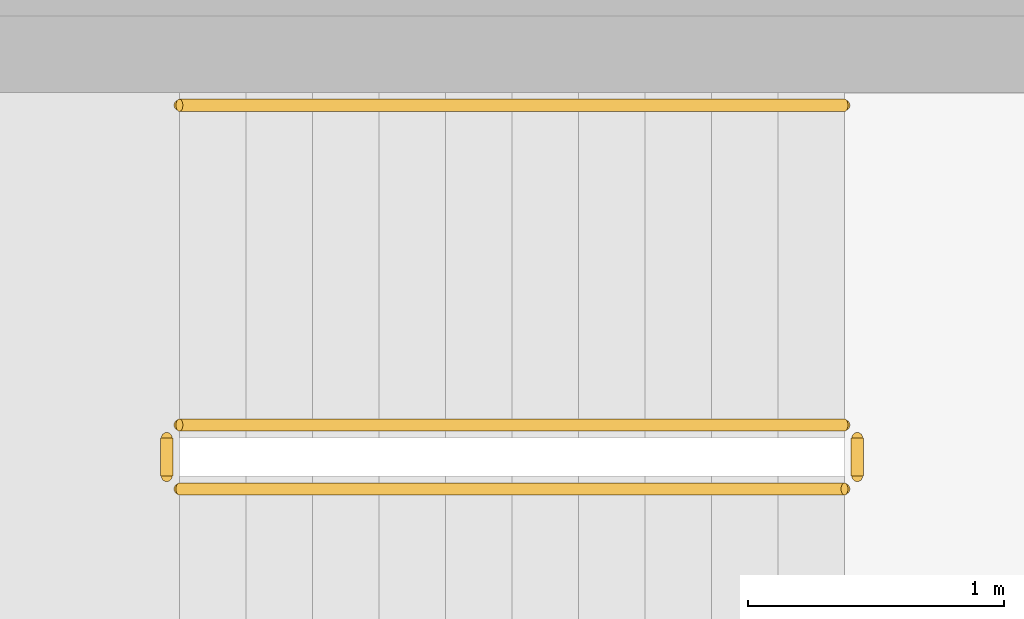
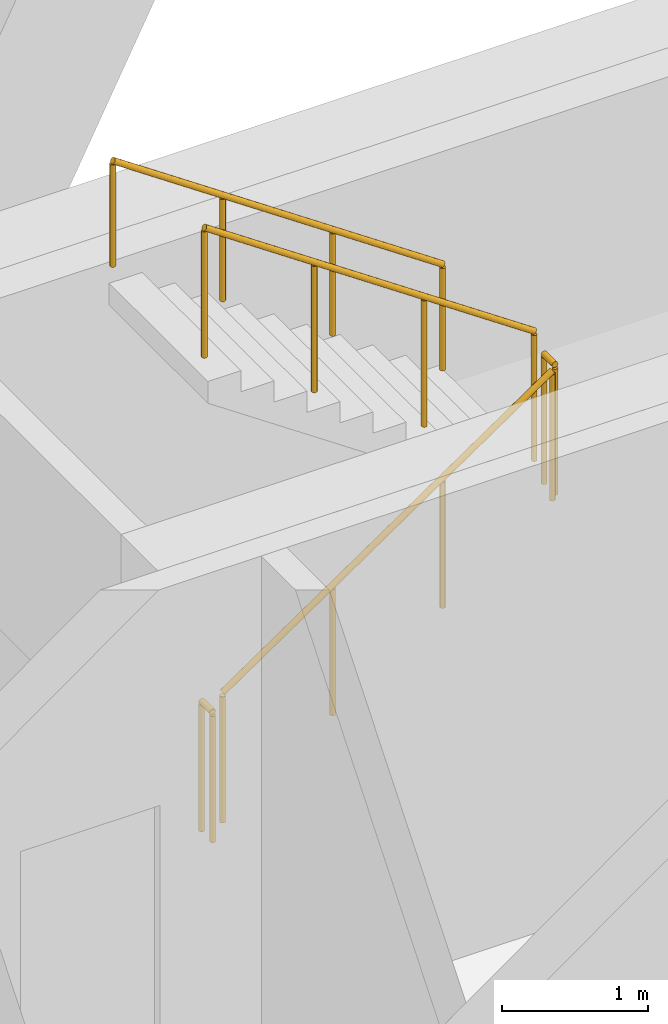
# One storey, part 8 of 8: 5 railings.
"""IFC4 building model written with IfcOpenShell, lengths in metres."""

from ifc_helpers import new_model, si_unit, direction, frame, origin, origin_2d, place, context, subcontext, project, spatial, circle, extrude, material, type_object, element, save


model = new_model("IFC4")

# Units and contexts
model_context = context("Model", 3, precision=1e-05, world=origin(), true_north=direction((0.0, 1.0)))
body_context = subcontext(model_context, "Body", "Model", "MODEL_VIEW")
ifc_project = project(units=[si_unit("LENGTHUNIT", "METRE"), si_unit("AREAUNIT", "SQUARE_METRE"), si_unit("VOLUMEUNIT", "CUBIC_METRE"), si_unit("PLANEANGLEUNIT", "RADIAN"), si_unit("MASSUNIT", "GRAM", prefix="KILO")], contexts=[model_context])

# Site, building, storey
site_placement = place(None, origin())
site = spatial("IfcSite", under=ifc_project, at=site_placement, CompositionType="ELEMENT")
building_placement = place(site_placement, origin())
building = spatial("IfcBuilding", under=site, at=building_placement, Name="White Candle Pilgrim Tower", CompositionType="ELEMENT")
storey_placement = place(building_placement, frame((0.0, 0.0, 306.10009765625)))
storey = spatial("IfcBuildingStorey", under=building, at=storey_placement, Name="L72", CompositionType="ELEMENT", Elevation=306.10009765625)

# Railings
ifc_material = material(Name="Stainless steel", Category="steel")
railing_type_1 = type_object("IfcRailingType", Name="Stair guard stainless steel 1100 mm", PredefinedType="GUARDRAIL", material=ifc_material)
railing_1_placement = place(storey_placement, frame((69.39990234375, 85.550048828125, 0.17724609375)))
element("IfcRailing", 1, at=railing_1_placement, inside=storey, type_object=railing_type_1, Name="L72 ST3 stair guard 1", PredefinedType="GUARDRAIL", context=body_context, shape_type="SweptSolid", body=[
    extrude(circle(Radius=0.02392578125, at=origin_2d()), frame((0.0, 0.0, 1.076171875), z_axis=(0.826240473404, 0.0, 0.563317565952), x_axis=(0.0, 1.0, 0.0)), (0.0, 0.0, 1.0), 3.14697265625),
    extrude(circle(Radius=0.02099609375, at=origin_2d()), origin(), (0.0, 0.0, 1.0), 1.052001953125),
    extrude(circle(Radius=0.02099609375, at=origin_2d()), frame((0.86669921875, 0.0, 0.5908203125)), (0.0, 0.0, 1.0), 1.052001953125),
    extrude(circle(Radius=0.02099609375, at=origin_2d()), frame((1.7333984375, 0.0, 1.181884765625)), (0.0, 0.0, 1.0), 1.052001953125),
    extrude(circle(Radius=0.02099609375, at=origin_2d()), frame((2.60009765625, 0.0, 1.772705078125)), (0.0, 0.0, 1.0), 1.052001953125),
])
railing_2_placement = place(storey_placement, frame((72.050048828125, 85.60009765625, 1.949951171875)))
element("IfcRailing", 2, at=railing_2_placement, inside=storey, type_object=railing_type_1, Name="L72 ST3 stair guard 2", PredefinedType="GUARDRAIL", context=body_context, shape_type="SweptSolid", body=[
    extrude(circle(Radius=0.02392578125, at=origin_2d()), frame((0.0, 0.0, 1.076171875), z_axis=(0.0, 1.0, 0.0), x_axis=(-1.0, 0.0, 0.0)), (0.0, 0.0, 1.0), 0.14990234375),
    extrude(circle(Radius=0.02099609375, at=origin_2d()), origin(), (0.0, 0.0, 1.0), 1.052001953125),
    extrude(circle(Radius=0.02099609375, at=origin_2d()), frame((0.0, 0.14990234375, 0.0)), (0.0, 0.0, 1.0), 1.052001953125),
])
railing_3_placement = place(storey_placement, frame((72.0, 85.800048828125, 2.127197265625)))
element("IfcRailing", 3, at=railing_3_placement, inside=storey, type_object=railing_type_1, Name="L72 ST3 stair guard 3", PredefinedType="GUARDRAIL", context=body_context, shape_type="SweptSolid", body=[
    extrude(circle(Radius=0.02392578125, at=origin_2d()), frame((0.0, 0.0, 1.076171875), z_axis=(-0.826240473404, 0.0, 0.563317565952), x_axis=(0.0, -1.0, 0.0)), (0.0, 0.0, 1.0), 3.14697265625),
    extrude(circle(Radius=0.02099609375, at=origin_2d()), origin(), (0.0, 0.0, 1.0), 1.052001953125),
    extrude(circle(Radius=0.02099609375, at=origin_2d()), frame((-0.86669921875, 0.0, 0.5908203125)), (0.0, 0.0, 1.0), 1.052001953125),
    extrude(circle(Radius=0.02099609375, at=origin_2d()), frame((-1.7333984375, 0.0, 1.181884765625)), (0.0, 0.0, 1.0), 1.052001953125),
    extrude(circle(Radius=0.02099609375, at=origin_2d()), frame((-2.60009765625, 0.0, 1.772705078125)), (0.0, 0.0, 1.0), 1.052001953125),
])
railing_4_placement = place(storey_placement, frame((69.35009765625, 85.60009765625, 0.0)))
element("IfcRailing", 4, at=railing_4_placement, inside=storey, type_object=railing_type_1, Name="L72 ST3 stair guard 4", PredefinedType="GUARDRAIL", context=body_context, shape_type="SweptSolid", body=[
    extrude(circle(Radius=0.02392578125, at=origin_2d()), frame((0.0, 0.0, 1.076171875), z_axis=(0.0, 1.0, 0.0), x_axis=(-1.0, 0.0, 0.0)), (0.0, 0.0, 1.0), 0.14990234375),
    extrude(circle(Radius=0.02099609375, at=origin_2d()), origin(), (0.0, 0.0, 1.0), 1.052001953125),
    extrude(circle(Radius=0.02099609375, at=origin_2d()), frame((0.0, 0.14990234375, 0.0)), (0.0, 0.0, 1.0), 1.052001953125),
])
railing_type_2 = type_object("IfcRailingType", Name="Stair handrail stainless steel", PredefinedType="HANDRAIL", material=ifc_material)
railing_5_placement = place(storey_placement, frame((72.0, 87.050048828125, 2.127197265625)))
element("IfcRailing", 5, at=railing_5_placement, inside=storey, type_object=railing_type_2, Name="L72 ST3 stair handrail 2", PredefinedType="HANDRAIL", context=body_context, shape_type="SweptSolid", body=[
    extrude(circle(Radius=0.02392578125, at=origin_2d()), frame((0.0, 0.0, 0.8759765625), z_axis=(-0.826240473404, 0.0, 0.563317565952), x_axis=(0.0, -1.0, 0.0)), (0.0, 0.0, 1.0), 3.14697265625),
    extrude(circle(Radius=0.02099609375, at=origin_2d()), origin(), (0.0, 0.0, 1.0), 0.851806640625),
    extrude(circle(Radius=0.02099609375, at=origin_2d()), frame((-0.86669921875, 0.0, 0.5908203125)), (0.0, 0.0, 1.0), 0.851806640625),
    extrude(circle(Radius=0.02099609375, at=origin_2d()), frame((-1.7333984375, 0.0, 1.181884765625)), (0.0, 0.0, 1.0), 0.851806640625),
    extrude(circle(Radius=0.02099609375, at=origin_2d()), frame((-2.60009765625, 0.0, 1.772705078125)), (0.0, 0.0, 1.0), 0.851806640625),
])

save(model, "model.ifc")
